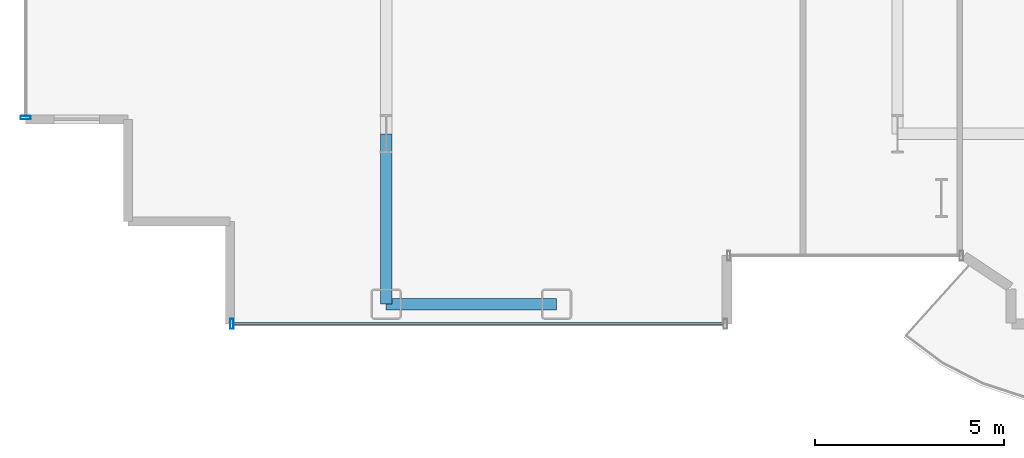
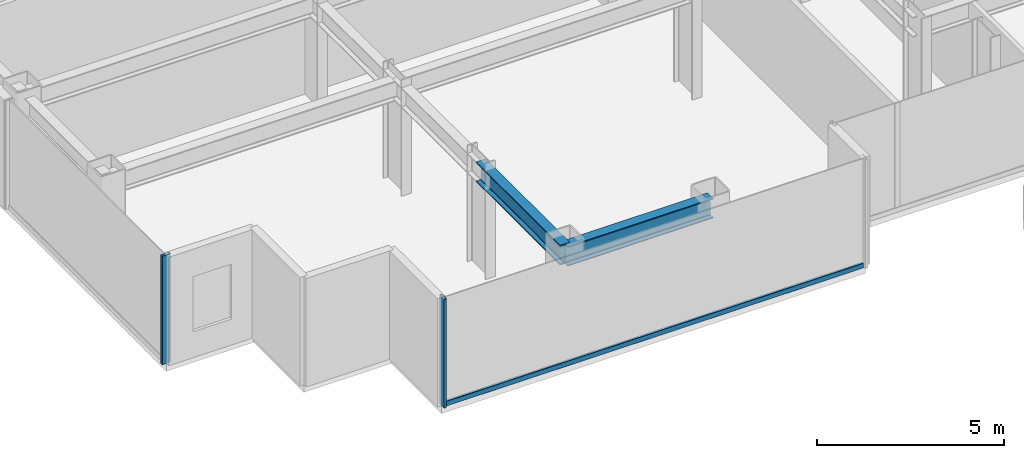
# One storey, part 2 of 29: 3 members, 2 beams, 2 elements without a shape of their own.
"""IFC4 building model written with IfcOpenShell, lengths in metres."""

from ifc_helpers import new_model, si_unit, direction, frame, origin, origin_2d, place, context, subcontext, project, spatial, hollow_rectangle, i_section, extrude, source, transform, mapped, material, layer, layer_set, material_profile, profile_set, type_object, element, aggregate, save


model = new_model("IFC4")

# Units and contexts
model_context = context("Model", 3, precision=1e-05, world=origin(), true_north=direction((0.0, 1.0)))
body_context = subcontext(model_context, "Body", "Model", "MODEL_VIEW")
ifc_project = project(units=[si_unit("LENGTHUNIT", "METRE"), si_unit("AREAUNIT", "SQUARE_METRE"), si_unit("VOLUMEUNIT", "CUBIC_METRE"), si_unit("PLANEANGLEUNIT", "RADIAN"), si_unit("MASSUNIT", "GRAM", prefix="KILO")], contexts=[model_context])

# Site, building, storey
site_placement = place(None, origin())
site = spatial("IfcSite", under=ifc_project, at=site_placement, CompositionType="ELEMENT")
building_placement = place(site_placement, origin())
building = spatial("IfcBuilding", under=site, at=building_placement, Name="Nefas-Gora Pilgrimage Tower", CompositionType="ELEMENT")
storey_placement = place(building_placement, frame((0.0, 0.0, 113.60009765625)))
storey = spatial("IfcBuildingStorey", under=building, at=storey_placement, Name="L27", CompositionType="ELEMENT", Elevation=113.60009765625)

# Beams
ifc_material_1 = material(Name="Steel S355", Category="steel")
ifc_material_profile_1 = material_profile(ifc_material_1, i_section(OverallWidth=0.300048828125, OverallDepth=0.64990234375, WebThickness=0.01611328125, FlangeThickness=0.031005859375, FilletRadius=0.027099609375, at=origin_2d()), Name="HEB 650")
ifc_profile_set_1 = profile_set([ifc_material_profile_1], Name="Steel S355")
beam_type_1 = type_object("IfcBeamType", Name="BM-SPN-HEB500", PredefinedType="SPANDREL", material=ifc_profile_set_1)
shared_shape_1 = source(origin(), body_context, "Body", "SweptSolid", [
    extrude(i_section(OverallWidth=0.300048828125, OverallDepth=0.64990234375, WebThickness=0.01611328125, FlangeThickness=0.031005859375, FilletRadius=0.027099609375, at=origin_2d()), origin(), (0.0, 0.0, 1.0), 4.5),
])
beam_1_placement = place(storey_placement, frame((-24.75, -22.5, 3.224853515625), z_axis=(1.0, 0.0, 0.0), x_axis=(0.0, 1.0, 0.0)))
element("IfcBeam", 1, at=beam_1_placement, inside=storey, type_object=beam_type_1, Name="L27 SP-02 beam", PredefinedType="SPANDREL", context=body_context, shape_type="MappedRepresentation", body=[
    mapped(shared_shape_1, transform((0.0, 0.0, 0.0), x_axis=(1.0, 0.0, 0.0), y_axis=(0.0, 1.0, 0.0), z_axis=(0.0, 0.0, 1.0), scale=1.0)),
])
ifc_material_profile_2 = material_profile(ifc_material_1, i_section(OverallWidth=0.300048828125, OverallDepth=0.64990234375, WebThickness=0.01611328125, FlangeThickness=0.031005859375, FilletRadius=0.027099609375, at=origin_2d()), Name="HEB 650")
ifc_profile_set_2 = profile_set([ifc_material_profile_2], Name="Steel S355")
beam_type_2 = type_object("IfcBeamType", Name="BM-GIR-HEB650", PredefinedType="BEAM", material=ifc_profile_set_2)
shared_shape_2 = source(origin(), body_context, "Body", "SweptSolid", [
    extrude(i_section(OverallWidth=0.300048828125, OverallDepth=0.64990234375, WebThickness=0.01611328125, FlangeThickness=0.031005859375, FilletRadius=0.027099609375, at=origin_2d()), origin(), (0.0, 0.0, 1.0), 4.5),
])
beam_2_placement = place(storey_placement, frame((-24.75, -22.5, 3.224853515625), z_axis=(0.0, 1.0, 0.0), x_axis=(-1.0, 0.0, 0.0)))
element("IfcBeam", 2, at=beam_2_placement, inside=storey, type_object=beam_type_2, Name="L27 G-03 beam", PredefinedType="BEAM", context=body_context, shape_type="MappedRepresentation", body=[
    mapped(shared_shape_2, transform((0.0, 0.0, 0.0), x_axis=(1.0, 0.0, 0.0), y_axis=(0.0, 1.0, 0.0), z_axis=(0.0, 0.0, 1.0), scale=1.0)),
])

# Curtain wall, member
ifc_material_2 = material(Name="Dark ceramic-fritted solar-control aluminium-glass curtain wall", Category="aluminium")
ifc_layer = layer(ifc_material_2, 0.219970703125)
ifc_layer_set = layer_set([ifc_layer], Name="Dark ceramic-fritted solar-control aluminium-glass curtain wall")
curtain_wall_type = type_object("IfcCurtainWallType", Name="CW-SYS-2", PredefinedType="NOTDEFINED", material=ifc_layer_set)
curtain_wall_1_placement = place(storey_placement, origin())
curtain_wall_1 = element("IfcCurtainWall", 3, at=curtain_wall_1_placement, inside=storey, type_object=curtain_wall_type, Name="L27 Unitised Curtain Wall CW2", PredefinedType="NOTDEFINED")
ifc_material_3 = material(Name="Anodised architectural aluminium", Category="aluminium")
ifc_material_profile_3 = material_profile(ifc_material_3, hollow_rectangle(XDim=0.080078125, YDim=0.159912109375, WallThickness=0.00439453125, InnerFilletRadius=0.00439453125, OuterFilletRadius=0.009033203125, at=origin_2d()), Name="ALU TRANSOM 80x160")
ifc_profile_set_3 = profile_set([ifc_material_profile_3], Name="Anodised architectural aluminium")
member_type_1 = type_object("IfcMemberType", Name="CWM-TRN-2", PredefinedType="USERDEFINED", material=ifc_profile_set_3)
shared_shape_3 = source(origin(), body_context, "Body", "SweptSolid", [
    extrude(hollow_rectangle(XDim=0.080078125, YDim=0.159912109375, WallThickness=0.00439453125, InnerFilletRadius=0.00439453125, OuterFilletRadius=0.009033203125, at=origin_2d()), origin(), (0.0, 0.0, 1.0), 12.93994140625),
])
member_1_placement = place(storey_placement, frame((-28.780029296875, -23.02001953125, 0.0498046875), z_axis=(1.0, 0.0, 0.0), x_axis=(0.0, 1.0, 0.0)))
member_1 = element("IfcMember", 4, at=member_1_placement, type_object=member_type_1, Name="CW2 Spandrel Transom", ObjectType="TRANSOM", PredefinedType="USERDEFINED", context=body_context, shape_type="MappedRepresentation", body=[
    mapped(shared_shape_3, transform((0.0, 0.0, 0.0), x_axis=(1.0, 0.0, 0.0), y_axis=(0.0, 1.0, 0.0), z_axis=(0.0, 0.0, 1.0), scale=1.0)),
])

curtain_wall_2_placement = place(storey_placement, origin())
curtain_wall_2 = element("IfcCurtainWall", 5, at=curtain_wall_2_placement, inside=storey, type_object=curtain_wall_type, Name="L27 Unitised Curtain Wall CW2", PredefinedType="NOTDEFINED")
ifc_material_profile_4 = material_profile(ifc_material_3, hollow_rectangle(XDim=0.090087890625, YDim=0.260009765625, WallThickness=0.006103515625, InnerFilletRadius=0.006103515625, OuterFilletRadius=0.011962890625, at=origin_2d()), Name="ALU MULLION 90x260")
ifc_profile_set_4 = profile_set([ifc_material_profile_4], Name="Anodised architectural aluminium")
member_type_2 = type_object("IfcMemberType", Name="CWM-MUL-2", PredefinedType="MULLION", material=ifc_profile_set_4)
shared_shape_4 = source(origin(), body_context, "Body", "SweptSolid", [
    extrude(hollow_rectangle(XDim=0.090087890625, YDim=0.260009765625, WallThickness=0.006103515625, InnerFilletRadius=0.006103515625, OuterFilletRadius=0.011962890625, at=origin_2d()), origin(), (0.0, 0.0, 1.0), 3.5498046875),
])
member_2_placement = place(storey_placement, frame((-34.27001953125, -17.574951171875, 0.0), z_axis=(0.0, 0.0, 1.0), x_axis=(0.0, -1.0, 0.0)))
member_2 = element("IfcMember", 6, at=member_2_placement, type_object=member_type_2, Name="CW2 Mullion 2", PredefinedType="MULLION", context=body_context, shape_type="MappedRepresentation", body=[
    mapped(shared_shape_4, transform((0.0, 0.0, 0.0), x_axis=(1.0, 0.0, 0.0), y_axis=(0.0, 1.0, 0.0), z_axis=(0.0, 0.0, 1.0), scale=1.0)),
])
aggregate(curtain_wall_2, [member_2])

# Member
member_3_placement = place(storey_placement, frame((-28.824951171875, -23.02001953125, 0.0), z_axis=(0.0, 0.0, 1.0), x_axis=(1.0, 0.0, 0.0)))
member_3 = element("IfcMember", 7, at=member_3_placement, type_object=member_type_2, Name="CW2 Mullion 1", PredefinedType="MULLION", context=body_context, shape_type="MappedRepresentation", body=[
    mapped(shared_shape_4, transform((0.0, 0.0, 0.0), x_axis=(1.0, 0.0, 0.0), y_axis=(0.0, 1.0, 0.0), z_axis=(0.0, 0.0, 1.0), scale=1.0)),
])

aggregate(curtain_wall_1, [member_3, member_1])

save(model, "model.ifc")
